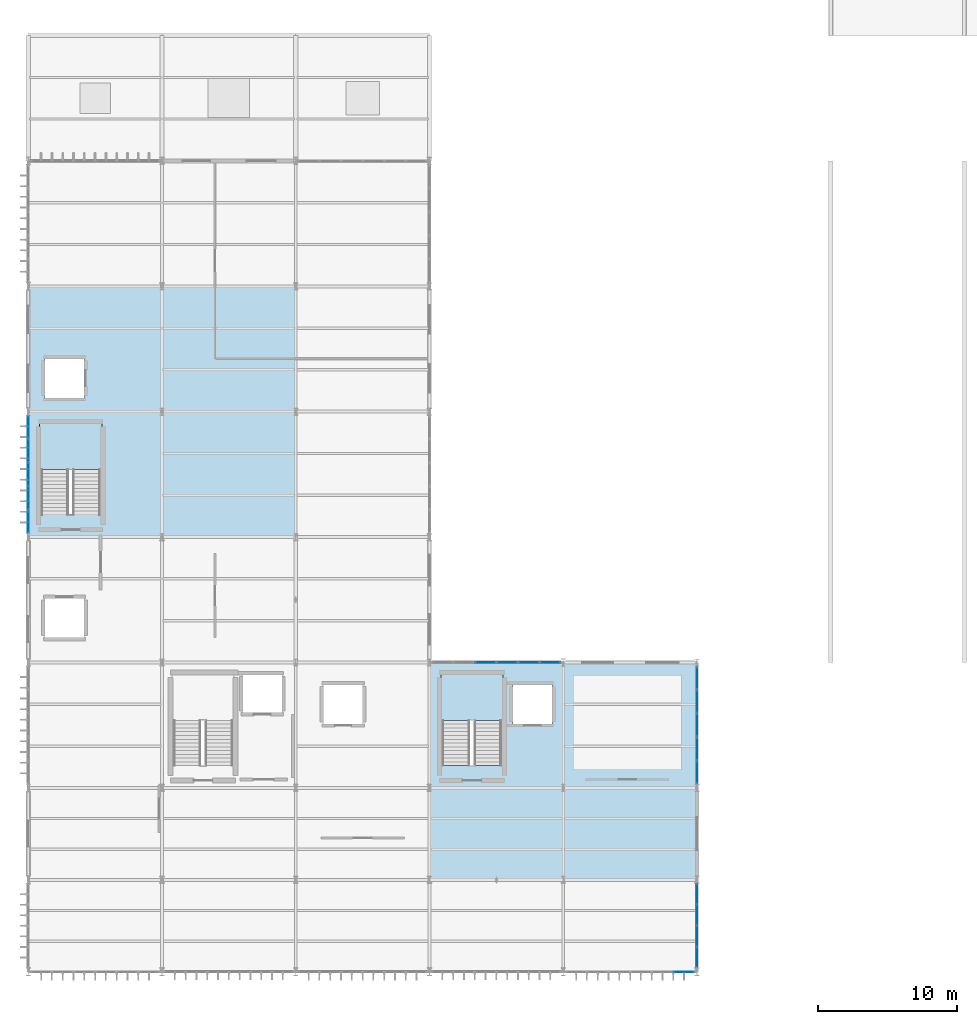
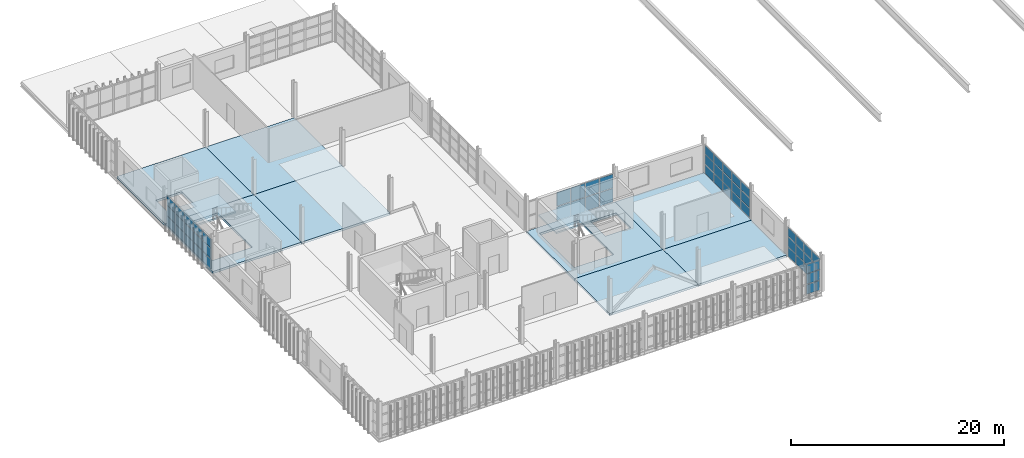
# One storey, part 19 of 52: 53 plates, 10 slabs, 7 elements without a shape of their own.
"""IFC4 building model written with IfcOpenShell, lengths in metres."""

from ifc_helpers import new_model, si_unit, direction, frame, origin, origin_2d, place, context, subcontext, project, spatial, polyline, rectangle, outline, extrude, material, layer, layer_set, type_object, element, aggregate, save


model = new_model("IFC4")

# Units and contexts
model_context = context("Model", 3, precision=1e-05, world=origin(), true_north=direction((0.0, 1.0)))
body_context = subcontext(model_context, "Body", "Model", "MODEL_VIEW")
ifc_project = project(units=[si_unit("LENGTHUNIT", "METRE"), si_unit("AREAUNIT", "SQUARE_METRE"), si_unit("VOLUMEUNIT", "CUBIC_METRE"), si_unit("PLANEANGLEUNIT", "RADIAN"), si_unit("MASSUNIT", "GRAM", prefix="KILO")], contexts=[model_context])

# Site, building, storey
site_placement = place(None, origin())
site = spatial("IfcSite", under=ifc_project, at=site_placement, CompositionType="ELEMENT")
building_placement = place(site_placement, origin())
building = spatial("IfcBuilding", under=site, at=building_placement, Name="Zarnetskaya Central Station", CompositionType="ELEMENT")
storey_placement = place(building_placement, frame((0.0, 0.0, 14.39990234375)))
storey = spatial("IfcBuildingStorey", under=building, at=storey_placement, Name="L03", CompositionType="ELEMENT", Elevation=14.39990234375)

# Curtain wall, plates
ifc_material_1 = material(Name="Low-E insulated glass", Category="glass")
ifc_layer_1 = layer(ifc_material_1, 0.176025390625, Name="Low-E insulated glass", Category="glass")
ifc_layer_set_1 = layer_set([ifc_layer_1], Name="Low-E insulated glass")
curtain_wall_type_1 = type_object("IfcCurtainWallType", Name="CW-SYS-05", PredefinedType="USERDEFINED", material=ifc_layer_set_1)
curtain_wall_1_placement = place(storey_placement, origin())
curtain_wall_1 = element("IfcCurtainWall", 1, at=curtain_wall_1_placement, inside=storey, type_object=curtain_wall_type_1, Name="Curtain wall CW-L03-040", ObjectType="CURTAIN WALL", PredefinedType="USERDEFINED")
ifc_layer_2 = layer(ifc_material_1, 0.028076171875, Name="Low-E insulated glass", Category="glass")
ifc_layer_set_2 = layer_set([ifc_layer_2], Name="Low-E insulated glass")
plate_type_1 = type_object("IfcPlateType", Name="CW-PAN-28", PredefinedType="CURTAIN_PANEL", material=ifc_layer_set_2)
plate_1_placement = place(storey_placement, frame((48.0, 21.080078125, 0.080078125), z_axis=(0.0, 0.0, 1.0), x_axis=(0.0, -1.0, 0.0)))
plate_1 = element("IfcPlate", 2, at=plate_1_placement, type_object=plate_type_1, Name="CW-14 panel 1.1", PredefinedType="CURTAIN_PANEL", context=body_context, shape_type="SweptSolid", body=[
    extrude(rectangle(XDim=1.580078125, YDim=0.028076171875, at=origin_2d()), origin(), (0.0, 0.0, 1.0), 1.0390625),
])
plate_2_placement = place(storey_placement, frame((48.0, 21.080078125, 1.198974609375), z_axis=(0.0, 0.0, 1.0), x_axis=(0.0, -1.0, 0.0)))
plate_2 = element("IfcPlate", 3, at=plate_2_placement, type_object=plate_type_1, Name="CW-14 panel 1.2", PredefinedType="CURTAIN_PANEL", context=body_context, shape_type="SweptSolid", body=[
    extrude(rectangle(XDim=1.580078125, YDim=0.028076171875, at=origin_2d()), origin(), (0.0, 0.0, 1.0), 1.080078125),
])
plate_3_placement = place(storey_placement, frame((48.0, 21.080078125, 2.35888671875), z_axis=(0.0, 0.0, 1.0), x_axis=(0.0, -1.0, 0.0)))
plate_3 = element("IfcPlate", 4, at=plate_3_placement, type_object=plate_type_1, Name="CW-14 panel 1.3", PredefinedType="CURTAIN_PANEL", context=body_context, shape_type="SweptSolid", body=[
    extrude(rectangle(XDim=1.580078125, YDim=0.028076171875, at=origin_2d()), origin(), (0.0, 0.0, 1.0), 0.970947265625),
])
plate_4_placement = place(storey_placement, frame((48.0, 19.39990234375, 0.080078125), z_axis=(0.0, 0.0, 1.0), x_axis=(0.0, -1.0, 0.0)))
plate_4 = element("IfcPlate", 5, at=plate_4_placement, type_object=plate_type_1, Name="CW-14 panel 2.1", PredefinedType="CURTAIN_PANEL", context=body_context, shape_type="SweptSolid", body=[
    extrude(rectangle(XDim=1.6201171875, YDim=0.028076171875, at=origin_2d()), origin(), (0.0, 0.0, 1.0), 1.0390625),
])
plate_5_placement = place(storey_placement, frame((48.0, 19.39990234375, 1.198974609375), z_axis=(0.0, 0.0, 1.0), x_axis=(0.0, -1.0, 0.0)))
plate_5 = element("IfcPlate", 6, at=plate_5_placement, type_object=plate_type_1, Name="CW-14 panel 2.2", PredefinedType="CURTAIN_PANEL", context=body_context, shape_type="SweptSolid", body=[
    extrude(rectangle(XDim=1.6201171875, YDim=0.028076171875, at=origin_2d()), origin(), (0.0, 0.0, 1.0), 1.080078125),
])
plate_6_placement = place(storey_placement, frame((48.0, 19.39990234375, 2.35888671875), z_axis=(0.0, 0.0, 1.0), x_axis=(0.0, -1.0, 0.0)))
plate_6 = element("IfcPlate", 7, at=plate_6_placement, type_object=plate_type_1, Name="CW-14 panel 2.3", PredefinedType="CURTAIN_PANEL", context=body_context, shape_type="SweptSolid", body=[
    extrude(rectangle(XDim=1.6201171875, YDim=0.028076171875, at=origin_2d()), origin(), (0.0, 0.0, 1.0), 0.970947265625),
])
plate_7_placement = place(storey_placement, frame((48.0, 17.699951171875, 0.080078125), z_axis=(0.0, 0.0, 1.0), x_axis=(0.0, -1.0, 0.0)))
plate_7 = element("IfcPlate", 8, at=plate_7_placement, type_object=plate_type_1, Name="CW-14 panel 3.1", PredefinedType="CURTAIN_PANEL", context=body_context, shape_type="SweptSolid", body=[
    extrude(rectangle(XDim=1.6201171875, YDim=0.028076171875, at=origin_2d()), origin(), (0.0, 0.0, 1.0), 1.0390625),
])
plate_8_placement = place(storey_placement, frame((48.0, 17.699951171875, 1.198974609375), z_axis=(0.0, 0.0, 1.0), x_axis=(0.0, -1.0, 0.0)))
plate_8 = element("IfcPlate", 9, at=plate_8_placement, type_object=plate_type_1, Name="CW-14 panel 3.2", PredefinedType="CURTAIN_PANEL", context=body_context, shape_type="SweptSolid", body=[
    extrude(rectangle(XDim=1.6201171875, YDim=0.028076171875, at=origin_2d()), origin(), (0.0, 0.0, 1.0), 1.080078125),
])
plate_9_placement = place(storey_placement, frame((48.0, 17.699951171875, 2.35888671875), z_axis=(0.0, 0.0, 1.0), x_axis=(0.0, -1.0, 0.0)))
plate_9 = element("IfcPlate", 10, at=plate_9_placement, type_object=plate_type_1, Name="CW-14 panel 3.3", PredefinedType="CURTAIN_PANEL", context=body_context, shape_type="SweptSolid", body=[
    extrude(rectangle(XDim=1.6201171875, YDim=0.028076171875, at=origin_2d()), origin(), (0.0, 0.0, 1.0), 0.970947265625),
])
plate_10_placement = place(storey_placement, frame((48.0, 16.0, 0.080078125), z_axis=(0.0, 0.0, 1.0), x_axis=(0.0, -1.0, 0.0)))
plate_10 = element("IfcPlate", 11, at=plate_10_placement, type_object=plate_type_1, Name="CW-14 panel 4.1", PredefinedType="CURTAIN_PANEL", context=body_context, shape_type="SweptSolid", body=[
    extrude(rectangle(XDim=1.6201171875, YDim=0.028076171875, at=origin_2d()), origin(), (0.0, 0.0, 1.0), 1.0390625),
])
plate_11_placement = place(storey_placement, frame((48.0, 16.0, 1.198974609375), z_axis=(0.0, 0.0, 1.0), x_axis=(0.0, -1.0, 0.0)))
plate_11 = element("IfcPlate", 12, at=plate_11_placement, type_object=plate_type_1, Name="CW-14 panel 4.2", PredefinedType="CURTAIN_PANEL", context=body_context, shape_type="SweptSolid", body=[
    extrude(rectangle(XDim=1.6201171875, YDim=0.028076171875, at=origin_2d()), origin(), (0.0, 0.0, 1.0), 1.080078125),
])
plate_12_placement = place(storey_placement, frame((48.0, 16.0, 2.35888671875), z_axis=(0.0, 0.0, 1.0), x_axis=(0.0, -1.0, 0.0)))
plate_12 = element("IfcPlate", 13, at=plate_12_placement, type_object=plate_type_1, Name="CW-14 panel 4.3", PredefinedType="CURTAIN_PANEL", context=body_context, shape_type="SweptSolid", body=[
    extrude(rectangle(XDim=1.6201171875, YDim=0.028076171875, at=origin_2d()), origin(), (0.0, 0.0, 1.0), 0.970947265625),
])
plate_13_placement = place(storey_placement, frame((48.0, 14.320068359375, 0.080078125), z_axis=(0.0, 0.0, 1.0), x_axis=(0.0, -1.0, 0.0)))
plate_13 = element("IfcPlate", 14, at=plate_13_placement, type_object=plate_type_1, Name="CW-14 panel 5.1", PredefinedType="CURTAIN_PANEL", context=body_context, shape_type="SweptSolid", body=[
    extrude(rectangle(XDim=1.580078125, YDim=0.028076171875, at=origin_2d()), origin(), (0.0, 0.0, 1.0), 1.0390625),
])
plate_14_placement = place(storey_placement, frame((48.0, 14.320068359375, 1.198974609375), z_axis=(0.0, 0.0, 1.0), x_axis=(0.0, -1.0, 0.0)))
plate_14 = element("IfcPlate", 15, at=plate_14_placement, type_object=plate_type_1, Name="CW-14 panel 5.2", PredefinedType="CURTAIN_PANEL", context=body_context, shape_type="SweptSolid", body=[
    extrude(rectangle(XDim=1.580078125, YDim=0.028076171875, at=origin_2d()), origin(), (0.0, 0.0, 1.0), 1.080078125),
])
plate_15_placement = place(storey_placement, frame((48.0, 14.320068359375, 2.35888671875), z_axis=(0.0, 0.0, 1.0), x_axis=(0.0, -1.0, 0.0)))
plate_15 = element("IfcPlate", 16, at=plate_15_placement, type_object=plate_type_1, Name="CW-14 panel 5.3", PredefinedType="CURTAIN_PANEL", context=body_context, shape_type="SweptSolid", body=[
    extrude(rectangle(XDim=1.580078125, YDim=0.028076171875, at=origin_2d()), origin(), (0.0, 0.0, 1.0), 0.970947265625),
])
aggregate(curtain_wall_1, [plate_1, plate_2, plate_3, plate_4, plate_5, plate_6, plate_7, plate_8, plate_9, plate_10, plate_11, plate_12, plate_13, plate_14, plate_15])

ifc_layer_3 = layer(ifc_material_1, 0.1640625, Name="Low-E insulated glass", Category="glass")
ifc_layer_set_3 = layer_set([ifc_layer_3], Name="Low-E insulated glass")
curtain_wall_type_2 = type_object("IfcCurtainWallType", Name="CW-SYS-07", PredefinedType="USERDEFINED", material=ifc_layer_set_3)
curtain_wall_2_placement = place(storey_placement, origin())
curtain_wall_2 = element("IfcCurtainWall", 17, at=curtain_wall_2_placement, inside=storey, type_object=curtain_wall_type_2, Name="Curtain wall CW-L03-041", ObjectType="CURTAIN WALL", PredefinedType="USERDEFINED")
ifc_layer_4 = layer(ifc_material_1, 0.031982421875, Name="Low-E insulated glass", Category="glass")
ifc_layer_set_4 = layer_set([ifc_layer_4], Name="Low-E insulated glass")
plate_type_2 = type_object("IfcPlateType", Name="CW-PAN-32", PredefinedType="CURTAIN_PANEL", material=ifc_layer_set_4)
plate_16_placement = place(storey_placement, frame((48.0, 5.5732421875, 0.0703125), z_axis=(0.0, 0.0, 1.0), x_axis=(0.0, -1.0, 0.0)))
plate_16 = element("IfcPlate", 18, at=plate_16_placement, type_object=plate_type_2, Name="CW-06 panel 1.1", PredefinedType="CURTAIN_PANEL", context=body_context, shape_type="SweptSolid", body=[
    extrude(rectangle(XDim=1.413818359375, YDim=0.031982421875, at=origin_2d()), origin(), (0.0, 0.0, 1.0), 1.071044921875),
])
plate_17_placement = place(storey_placement, frame((48.0, 5.5732421875, 1.211181640625), z_axis=(0.0, 0.0, 1.0), x_axis=(0.0, -1.0, 0.0)))
plate_17 = element("IfcPlate", 19, at=plate_17_placement, type_object=plate_type_2, Name="CW-06 panel 1.2", PredefinedType="CURTAIN_PANEL", context=body_context, shape_type="SweptSolid", body=[
    extrude(rectangle(XDim=1.413818359375, YDim=0.031982421875, at=origin_2d()), origin(), (0.0, 0.0, 1.0), 1.10693359375),
])
plate_18_placement = place(storey_placement, frame((48.0, 5.5732421875, 2.38818359375), z_axis=(0.0, 0.0, 1.0), x_axis=(0.0, -1.0, 0.0)))
plate_18 = element("IfcPlate", 20, at=plate_18_placement, type_object=plate_type_2, Name="CW-06 panel 1.3", PredefinedType="CURTAIN_PANEL", context=body_context, shape_type="SweptSolid", body=[
    extrude(rectangle(XDim=1.413818359375, YDim=0.031982421875, at=origin_2d()), origin(), (0.0, 0.0, 1.0), 1.001953125),
])
plate_19_placement = place(storey_placement, frame((48.0, 4.07177734375, 0.0703125), z_axis=(0.0, 0.0, 1.0), x_axis=(0.0, -1.0, 0.0)))
plate_19 = element("IfcPlate", 21, at=plate_19_placement, type_object=plate_type_2, Name="CW-06 panel 2.1", PredefinedType="CURTAIN_PANEL", context=body_context, shape_type="SweptSolid", body=[
    extrude(rectangle(XDim=1.44873046875, YDim=0.031982421875, at=origin_2d()), origin(), (0.0, 0.0, 1.0), 1.071044921875),
])
plate_20_placement = place(storey_placement, frame((48.0, 4.07177734375, 1.211181640625), z_axis=(0.0, 0.0, 1.0), x_axis=(0.0, -1.0, 0.0)))
plate_20 = element("IfcPlate", 22, at=plate_20_placement, type_object=plate_type_2, Name="CW-06 panel 2.2", PredefinedType="CURTAIN_PANEL", context=body_context, shape_type="SweptSolid", body=[
    extrude(rectangle(XDim=1.44873046875, YDim=0.031982421875, at=origin_2d()), origin(), (0.0, 0.0, 1.0), 1.10693359375),
])
plate_21_placement = place(storey_placement, frame((48.0, 4.07177734375, 2.38818359375), z_axis=(0.0, 0.0, 1.0), x_axis=(0.0, -1.0, 0.0)))
plate_21 = element("IfcPlate", 23, at=plate_21_placement, type_object=plate_type_2, Name="CW-06 panel 2.3", PredefinedType="CURTAIN_PANEL", context=body_context, shape_type="SweptSolid", body=[
    extrude(rectangle(XDim=1.44873046875, YDim=0.031982421875, at=origin_2d()), origin(), (0.0, 0.0, 1.0), 1.001953125),
])
plate_22_placement = place(storey_placement, frame((48.0, 2.55322265625, 0.0703125), z_axis=(0.0, 0.0, 1.0), x_axis=(0.0, -1.0, 0.0)))
plate_22 = element("IfcPlate", 24, at=plate_22_placement, type_object=plate_type_2, Name="CW-06 panel 3.1", PredefinedType="CURTAIN_PANEL", context=body_context, shape_type="SweptSolid", body=[
    extrude(rectangle(XDim=1.44873046875, YDim=0.031982421875, at=origin_2d()), origin(), (0.0, 0.0, 1.0), 1.071044921875),
])
plate_23_placement = place(storey_placement, frame((48.0, 2.55322265625, 1.211181640625), z_axis=(0.0, 0.0, 1.0), x_axis=(0.0, -1.0, 0.0)))
plate_23 = element("IfcPlate", 25, at=plate_23_placement, type_object=plate_type_2, Name="CW-06 panel 3.2", PredefinedType="CURTAIN_PANEL", context=body_context, shape_type="SweptSolid", body=[
    extrude(rectangle(XDim=1.44873046875, YDim=0.031982421875, at=origin_2d()), origin(), (0.0, 0.0, 1.0), 1.10693359375),
])
plate_24_placement = place(storey_placement, frame((48.0, 2.55322265625, 2.38818359375), z_axis=(0.0, 0.0, 1.0), x_axis=(0.0, -1.0, 0.0)))
plate_24 = element("IfcPlate", 26, at=plate_24_placement, type_object=plate_type_2, Name="CW-06 panel 3.3", PredefinedType="CURTAIN_PANEL", context=body_context, shape_type="SweptSolid", body=[
    extrude(rectangle(XDim=1.44873046875, YDim=0.031982421875, at=origin_2d()), origin(), (0.0, 0.0, 1.0), 1.001953125),
])
plate_25_placement = place(storey_placement, frame((48.0, 1.0517578125, 0.0703125), z_axis=(0.0, 0.0, 1.0), x_axis=(0.0, -1.0, 0.0)))
plate_25 = element("IfcPlate", 27, at=plate_25_placement, type_object=plate_type_2, Name="CW-06 panel 4.1", PredefinedType="CURTAIN_PANEL", context=body_context, shape_type="SweptSolid", body=[
    extrude(rectangle(XDim=1.413818359375, YDim=0.031982421875, at=origin_2d()), origin(), (0.0, 0.0, 1.0), 1.071044921875),
])
plate_26_placement = place(storey_placement, frame((48.0, 1.0517578125, 1.211181640625), z_axis=(0.0, 0.0, 1.0), x_axis=(0.0, -1.0, 0.0)))
plate_26 = element("IfcPlate", 28, at=plate_26_placement, type_object=plate_type_2, Name="CW-06 panel 4.2", PredefinedType="CURTAIN_PANEL", context=body_context, shape_type="SweptSolid", body=[
    extrude(rectangle(XDim=1.413818359375, YDim=0.031982421875, at=origin_2d()), origin(), (0.0, 0.0, 1.0), 1.10693359375),
])
plate_27_placement = place(storey_placement, frame((48.0, 1.0517578125, 2.38818359375), z_axis=(0.0, 0.0, 1.0), x_axis=(0.0, -1.0, 0.0)))
plate_27 = element("IfcPlate", 29, at=plate_27_placement, type_object=plate_type_2, Name="CW-06 panel 4.3", PredefinedType="CURTAIN_PANEL", context=body_context, shape_type="SweptSolid", body=[
    extrude(rectangle(XDim=1.413818359375, YDim=0.031982421875, at=origin_2d()), origin(), (0.0, 0.0, 1.0), 1.001953125),
])
aggregate(curtain_wall_2, [plate_16, plate_17, plate_18, plate_19, plate_20, plate_21, plate_22, plate_23, plate_24, plate_25, plate_26, plate_27])

curtain_wall_3_placement = place(storey_placement, origin())
curtain_wall_3 = element("IfcCurtainWall", 30, at=curtain_wall_3_placement, inside=storey, type_object=curtain_wall_type_1, Name="Curtain wall CW-L03-042", ObjectType="CURTAIN WALL", PredefinedType="USERDEFINED")
ifc_layer_5 = layer(ifc_material_1, 0.035888671875, Name="Low-E insulated glass", Category="glass")
ifc_layer_set_5 = layer_set([ifc_layer_5], Name="Low-E insulated glass")
plate_type_3 = type_object("IfcPlateType", Name="CW-PAN-36", PredefinedType="CURTAIN_PANEL", material=ifc_layer_set_5)
plate_28_placement = place(storey_placement, frame((47.054931640625, 0.0, 0.080078125), z_axis=(0.0, 0.0, 1.0), x_axis=(-1.0, 0.0, 0.0)))
plate_28 = element("IfcPlate", 31, at=plate_28_placement, type_object=plate_type_3, Name="CW-14 panel 1.1", PredefinedType="CURTAIN_PANEL", context=body_context, shape_type="SweptSolid", body=[
    extrude(rectangle(XDim=1.429931640625, YDim=0.035888671875, at=origin_2d()), origin(), (0.0, 0.0, 1.0), 1.090087890625),
])
plate_29_placement = place(storey_placement, frame((47.054931640625, 0.0, 1.25), z_axis=(0.0, 0.0, 1.0), x_axis=(-1.0, 0.0, 0.0)))
plate_29 = element("IfcPlate", 32, at=plate_29_placement, type_object=plate_type_3, Name="CW-14 panel 1.2", PredefinedType="CURTAIN_PANEL", context=body_context, shape_type="SweptSolid", body=[
    extrude(rectangle(XDim=1.429931640625, YDim=0.035888671875, at=origin_2d()), origin(), (0.0, 0.0, 1.0), 1.131103515625),
])
plate_30_placement = place(storey_placement, frame((47.054931640625, 0.0, 2.461181640625), z_axis=(0.0, 0.0, 1.0), x_axis=(-1.0, 0.0, 0.0)))
plate_30 = element("IfcPlate", 33, at=plate_30_placement, type_object=plate_type_3, Name="CW-14 panel 1.3", PredefinedType="CURTAIN_PANEL", context=body_context, shape_type="SweptSolid", body=[
    extrude(rectangle(XDim=1.429931640625, YDim=0.035888671875, at=origin_2d()), origin(), (0.0, 0.0, 1.0), 1.01904296875),
])
aggregate(curtain_wall_3, [plate_28, plate_29, plate_30])

ifc_layer_6 = layer(ifc_material_1, 0.172119140625, Name="Low-E insulated glass", Category="glass")
ifc_layer_set_6 = layer_set([ifc_layer_6], Name="Low-E insulated glass")
curtain_wall_type_3 = type_object("IfcCurtainWallType", Name="CW-SYS-09", PredefinedType="USERDEFINED", material=ifc_layer_set_6)
curtain_wall_4_placement = place(storey_placement, origin())
curtain_wall_4 = element("IfcCurtainWall", 34, at=curtain_wall_4_placement, inside=storey, type_object=curtain_wall_type_3, Name="Curtain wall CW-L03-033", ObjectType="CURTAIN WALL", PredefinedType="USERDEFINED")
ifc_layer_7 = layer(ifc_material_1, 0.0400390625, Name="Low-E insulated glass", Category="glass")
ifc_layer_set_7 = layer_set([ifc_layer_7], Name="Low-E insulated glass")
plate_type_4 = type_object("IfcPlateType", Name="CW-PAN-40", PredefinedType="CURTAIN_PANEL", material=ifc_layer_set_7)
plate_31_placement = place(storey_placement, frame((0.0, 32.33740234375, 0.070068359375), z_axis=(0.0, 0.0, 1.0), x_axis=(0.0, 1.0, 0.0)))
plate_31 = element("IfcPlate", 35, at=plate_31_placement, type_object=plate_type_4, Name="CW-07 panel 1.1", PredefinedType="CURTAIN_PANEL", context=body_context, shape_type="SweptSolid", body=[
    extrude(rectangle(XDim=1.5849609375, YDim=0.0400390625, at=origin_2d()), origin(), (0.0, 0.0, 1.0), 1.10498046875),
])
plate_32_placement = place(storey_placement, frame((0.0, 32.33740234375, 1.2451171875), z_axis=(0.0, 0.0, 1.0), x_axis=(0.0, 1.0, 0.0)))
plate_32 = element("IfcPlate", 36, at=plate_32_placement, type_object=plate_type_4, Name="CW-07 panel 1.2", PredefinedType="CURTAIN_PANEL", context=body_context, shape_type="SweptSolid", body=[
    extrude(rectangle(XDim=1.5849609375, YDim=0.0400390625, at=origin_2d()), origin(), (0.0, 0.0, 1.0), 1.14111328125),
])
plate_33_placement = place(storey_placement, frame((0.0, 32.33740234375, 2.4560546875), z_axis=(0.0, 0.0, 1.0), x_axis=(0.0, 1.0, 0.0)))
plate_33 = element("IfcPlate", 37, at=plate_33_placement, type_object=plate_type_4, Name="CW-07 panel 1.3", PredefinedType="CURTAIN_PANEL", context=body_context, shape_type="SweptSolid", body=[
    extrude(rectangle(XDim=1.5849609375, YDim=0.0400390625, at=origin_2d()), origin(), (0.0, 0.0, 1.0), 1.033935546875),
])
plate_34_placement = place(storey_placement, frame((0.0, 34.010009765625, 0.070068359375), z_axis=(0.0, 0.0, 1.0), x_axis=(0.0, 1.0, 0.0)))
plate_34 = element("IfcPlate", 38, at=plate_34_placement, type_object=plate_type_4, Name="CW-07 panel 2.1", PredefinedType="CURTAIN_PANEL", context=body_context, shape_type="SweptSolid", body=[
    extrude(rectangle(XDim=1.6201171875, YDim=0.0400390625, at=origin_2d()), origin(), (0.0, 0.0, 1.0), 1.10498046875),
])
plate_35_placement = place(storey_placement, frame((0.0, 34.010009765625, 1.2451171875), z_axis=(0.0, 0.0, 1.0), x_axis=(0.0, 1.0, 0.0)))
plate_35 = element("IfcPlate", 39, at=plate_35_placement, type_object=plate_type_4, Name="CW-07 panel 2.2", PredefinedType="CURTAIN_PANEL", context=body_context, shape_type="SweptSolid", body=[
    extrude(rectangle(XDim=1.6201171875, YDim=0.0400390625, at=origin_2d()), origin(), (0.0, 0.0, 1.0), 1.14111328125),
])
plate_36_placement = place(storey_placement, frame((0.0, 34.010009765625, 2.4560546875), z_axis=(0.0, 0.0, 1.0), x_axis=(0.0, 1.0, 0.0)))
plate_36 = element("IfcPlate", 40, at=plate_36_placement, type_object=plate_type_4, Name="CW-07 panel 2.3", PredefinedType="CURTAIN_PANEL", context=body_context, shape_type="SweptSolid", body=[
    extrude(rectangle(XDim=1.6201171875, YDim=0.0400390625, at=origin_2d()), origin(), (0.0, 0.0, 1.0), 1.033935546875),
])
plate_37_placement = place(storey_placement, frame((0.0, 35.699951171875, 0.070068359375), z_axis=(0.0, 0.0, 1.0), x_axis=(0.0, 1.0, 0.0)))
plate_37 = element("IfcPlate", 41, at=plate_37_placement, type_object=plate_type_4, Name="CW-07 panel 3.1", PredefinedType="CURTAIN_PANEL", context=body_context, shape_type="SweptSolid", body=[
    extrude(rectangle(XDim=1.6201171875, YDim=0.0400390625, at=origin_2d()), origin(), (0.0, 0.0, 1.0), 1.10498046875),
])
plate_38_placement = place(storey_placement, frame((0.0, 35.699951171875, 1.2451171875), z_axis=(0.0, 0.0, 1.0), x_axis=(0.0, 1.0, 0.0)))
plate_38 = element("IfcPlate", 42, at=plate_38_placement, type_object=plate_type_4, Name="CW-07 panel 3.2", PredefinedType="CURTAIN_PANEL", context=body_context, shape_type="SweptSolid", body=[
    extrude(rectangle(XDim=1.6201171875, YDim=0.0400390625, at=origin_2d()), origin(), (0.0, 0.0, 1.0), 1.14111328125),
])
plate_39_placement = place(storey_placement, frame((0.0, 35.699951171875, 2.4560546875), z_axis=(0.0, 0.0, 1.0), x_axis=(0.0, 1.0, 0.0)))
plate_39 = element("IfcPlate", 43, at=plate_39_placement, type_object=plate_type_4, Name="CW-07 panel 3.3", PredefinedType="CURTAIN_PANEL", context=body_context, shape_type="SweptSolid", body=[
    extrude(rectangle(XDim=1.6201171875, YDim=0.0400390625, at=origin_2d()), origin(), (0.0, 0.0, 1.0), 1.033935546875),
])
plate_40_placement = place(storey_placement, frame((0.0, 37.389892578125, 0.070068359375), z_axis=(0.0, 0.0, 1.0), x_axis=(0.0, 1.0, 0.0)))
plate_40 = element("IfcPlate", 44, at=plate_40_placement, type_object=plate_type_4, Name="CW-07 panel 4.1", PredefinedType="CURTAIN_PANEL", context=body_context, shape_type="SweptSolid", body=[
    extrude(rectangle(XDim=1.6201171875, YDim=0.0400390625, at=origin_2d()), origin(), (0.0, 0.0, 1.0), 1.10498046875),
])
plate_41_placement = place(storey_placement, frame((0.0, 37.389892578125, 1.2451171875), z_axis=(0.0, 0.0, 1.0), x_axis=(0.0, 1.0, 0.0)))
plate_41 = element("IfcPlate", 45, at=plate_41_placement, type_object=plate_type_4, Name="CW-07 panel 4.2", PredefinedType="CURTAIN_PANEL", context=body_context, shape_type="SweptSolid", body=[
    extrude(rectangle(XDim=1.6201171875, YDim=0.0400390625, at=origin_2d()), origin(), (0.0, 0.0, 1.0), 1.14111328125),
])
plate_42_placement = place(storey_placement, frame((0.0, 37.389892578125, 2.4560546875), z_axis=(0.0, 0.0, 1.0), x_axis=(0.0, 1.0, 0.0)))
plate_42 = element("IfcPlate", 46, at=plate_42_placement, type_object=plate_type_4, Name="CW-07 panel 4.3", PredefinedType="CURTAIN_PANEL", context=body_context, shape_type="SweptSolid", body=[
    extrude(rectangle(XDim=1.6201171875, YDim=0.0400390625, at=origin_2d()), origin(), (0.0, 0.0, 1.0), 1.033935546875),
])
plate_43_placement = place(storey_placement, frame((0.0, 39.0625, 0.070068359375), z_axis=(0.0, 0.0, 1.0), x_axis=(0.0, 1.0, 0.0)))
plate_43 = element("IfcPlate", 47, at=plate_43_placement, type_object=plate_type_4, Name="CW-07 panel 5.1", PredefinedType="CURTAIN_PANEL", context=body_context, shape_type="SweptSolid", body=[
    extrude(rectangle(XDim=1.5849609375, YDim=0.0400390625, at=origin_2d()), origin(), (0.0, 0.0, 1.0), 1.10498046875),
])
plate_44_placement = place(storey_placement, frame((0.0, 39.0625, 1.2451171875), z_axis=(0.0, 0.0, 1.0), x_axis=(0.0, 1.0, 0.0)))
plate_44 = element("IfcPlate", 48, at=plate_44_placement, type_object=plate_type_4, Name="CW-07 panel 5.2", PredefinedType="CURTAIN_PANEL", context=body_context, shape_type="SweptSolid", body=[
    extrude(rectangle(XDim=1.5849609375, YDim=0.0400390625, at=origin_2d()), origin(), (0.0, 0.0, 1.0), 1.14111328125),
])
plate_45_placement = place(storey_placement, frame((0.0, 39.0625, 2.4560546875), z_axis=(0.0, 0.0, 1.0), x_axis=(0.0, 1.0, 0.0)))
plate_45 = element("IfcPlate", 49, at=plate_45_placement, type_object=plate_type_4, Name="CW-07 panel 5.3", PredefinedType="CURTAIN_PANEL", context=body_context, shape_type="SweptSolid", body=[
    extrude(rectangle(XDim=1.5849609375, YDim=0.0400390625, at=origin_2d()), origin(), (0.0, 0.0, 1.0), 1.033935546875),
])
aggregate(curtain_wall_4, [plate_31, plate_32, plate_33, plate_34, plate_35, plate_36, plate_37, plate_38, plate_39, plate_40, plate_41, plate_42, plate_43, plate_44, plate_45])

curtain_wall_5_placement = place(storey_placement, origin())
curtain_wall_5 = element("IfcCurtainWall", 50, at=curtain_wall_5_placement, inside=storey, type_object=curtain_wall_type_1, Name="Curtain wall CW-L03-039", ObjectType="CURTAIN WALL", PredefinedType="USERDEFINED")
ifc_layer_8 = layer(ifc_material_1, 0.0439453125, Name="Low-E insulated glass", Category="glass")
ifc_layer_set_8 = layer_set([ifc_layer_8], Name="Low-E insulated glass")
plate_type_5 = type_object("IfcPlateType", Name="CW-PAN-44", PredefinedType="CURTAIN_PANEL", material=ifc_layer_set_8)
plate_46_placement = place(storey_placement, frame((32.824951171875, 22.199951171875, 0.0703125), z_axis=(0.0, 0.0, 1.0), x_axis=(1.0, 0.0, 0.0)))
plate_46 = element("IfcPlate", 51, at=plate_46_placement, type_object=plate_type_5, Name="CW-14 panel 3.1", PredefinedType="CURTAIN_PANEL", context=body_context, shape_type="SweptSolid", body=[
    extrude(rectangle(XDim=1.47998046875, YDim=0.0439453125, at=origin_2d()), origin(), (0.0, 0.0, 1.0), 1.574951171875),
])
plate_47_placement = place(storey_placement, frame((32.824951171875, 22.199951171875, 1.71533203125), z_axis=(0.0, 0.0, 1.0), x_axis=(1.0, 0.0, 0.0)))
plate_47 = element("IfcPlate", 52, at=plate_47_placement, type_object=plate_type_5, Name="CW-14 panel 3.2", PredefinedType="CURTAIN_PANEL", context=body_context, shape_type="SweptSolid", body=[
    extrude(rectangle(XDim=1.47998046875, YDim=0.0439453125, at=origin_2d()), origin(), (0.0, 0.0, 1.0), 1.574951171875),
])
plate_48_placement = place(storey_placement, frame((34.375, 22.199951171875, 0.0703125), z_axis=(0.0, 0.0, 1.0), x_axis=(1.0, 0.0, 0.0)))
plate_48 = element("IfcPlate", 53, at=plate_48_placement, type_object=plate_type_5, Name="CW-14 panel 4.1", PredefinedType="CURTAIN_PANEL", context=body_context, shape_type="SweptSolid", body=[
    extrude(rectangle(XDim=1.47998046875, YDim=0.0439453125, at=origin_2d()), origin(), (0.0, 0.0, 1.0), 1.574951171875),
])
plate_49_placement = place(storey_placement, frame((34.375, 22.199951171875, 1.71533203125), z_axis=(0.0, 0.0, 1.0), x_axis=(1.0, 0.0, 0.0)))
plate_49 = element("IfcPlate", 54, at=plate_49_placement, type_object=plate_type_5, Name="CW-14 panel 4.2", PredefinedType="CURTAIN_PANEL", context=body_context, shape_type="SweptSolid", body=[
    extrude(rectangle(XDim=1.47998046875, YDim=0.0439453125, at=origin_2d()), origin(), (0.0, 0.0, 1.0), 1.574951171875),
])
plate_50_placement = place(storey_placement, frame((35.925048828125, 22.199951171875, 0.0703125), z_axis=(0.0, 0.0, 1.0), x_axis=(1.0, 0.0, 0.0)))
plate_50 = element("IfcPlate", 55, at=plate_50_placement, type_object=plate_type_5, Name="CW-14 panel 5.1", PredefinedType="CURTAIN_PANEL", context=body_context, shape_type="SweptSolid", body=[
    extrude(rectangle(XDim=1.47998046875, YDim=0.0439453125, at=origin_2d()), origin(), (0.0, 0.0, 1.0), 1.574951171875),
])
plate_51_placement = place(storey_placement, frame((35.925048828125, 22.199951171875, 1.71533203125), z_axis=(0.0, 0.0, 1.0), x_axis=(1.0, 0.0, 0.0)))
plate_51 = element("IfcPlate", 56, at=plate_51_placement, type_object=plate_type_5, Name="CW-14 panel 5.2", PredefinedType="CURTAIN_PANEL", context=body_context, shape_type="SweptSolid", body=[
    extrude(rectangle(XDim=1.47998046875, YDim=0.0439453125, at=origin_2d()), origin(), (0.0, 0.0, 1.0), 1.574951171875),
])
plate_52_placement = place(storey_placement, frame((37.45751953125, 22.199951171875, 0.0703125), z_axis=(0.0, 0.0, 1.0), x_axis=(1.0, 0.0, 0.0)))
plate_52 = element("IfcPlate", 57, at=plate_52_placement, type_object=plate_type_5, Name="CW-14 panel 6.1", PredefinedType="CURTAIN_PANEL", context=body_context, shape_type="SweptSolid", body=[
    extrude(rectangle(XDim=1.445068359375, YDim=0.0439453125, at=origin_2d()), origin(), (0.0, 0.0, 1.0), 1.574951171875),
])
plate_53_placement = place(storey_placement, frame((37.45751953125, 22.199951171875, 1.71533203125), z_axis=(0.0, 0.0, 1.0), x_axis=(1.0, 0.0, 0.0)))
plate_53 = element("IfcPlate", 58, at=plate_53_placement, type_object=plate_type_5, Name="CW-14 panel 6.2", PredefinedType="CURTAIN_PANEL", context=body_context, shape_type="SweptSolid", body=[
    extrude(rectangle(XDim=1.445068359375, YDim=0.0439453125, at=origin_2d()), origin(), (0.0, 0.0, 1.0), 1.574951171875),
])
aggregate(curtain_wall_5, [plate_46, plate_47, plate_48, plate_49, plate_50, plate_51, plate_52, plate_53])

# Slabs
ifc_material_2 = material(Name="Concrete C30/37", Category="concrete")
ifc_layer_9 = layer(ifc_material_2, 0.25, Name="Concrete C30/37", Category="concrete")
ifc_layer_set_9 = layer_set([ifc_layer_9], Name="Concrete C30/37")
slab_type_1 = type_object("IfcSlabType", Name="SLAB-L03-250", PredefinedType="FLOOR", material=ifc_layer_set_9)
slab_1_placement = place(storey_placement, frame((0.0, 0.0, -0.25)))
element("IfcSlab", 59, at=slab_1_placement, inside=storey, type_object=slab_type_1, Name="L03 slab A-B/5-6", PredefinedType="FLOOR", context=body_context, shape_type="SweptSolid", body=[
    extrude(outline(polyline([(0.0, 31.199951171875), (9.60009765625, 31.199951171875), (9.60009765625, 40.199951171875), (0.0, 40.199951171875), (0.0, 31.199951171875)]), holes=[polyline([(0.89990234375, 32.804931640625), (5.199951171875, 32.804931640625), (5.199951171875, 39.300048828125), (0.89990234375, 39.300048828125), (0.89990234375, 32.804931640625)])]), origin(), (0.0, 0.0, 1.0), 0.25),
])
slab_2_placement = place(storey_placement, frame((0.0, 0.0, -0.25)))
element("IfcSlab", 60, at=slab_2_placement, inside=storey, type_object=slab_type_1, Name="L03 slab A-B/6-7", PredefinedType="FLOOR", context=body_context, shape_type="SweptSolid", body=[
    extrude(outline(polyline([(0.0, 40.199951171875), (9.60009765625, 40.199951171875), (9.60009765625, 49.199951171875), (0.0, 49.199951171875), (0.0, 40.199951171875)]), holes=[polyline([(1.199951171875, 41.199951171875), (4.0, 41.199951171875), (4.0, 44.0), (1.199951171875, 44.0), (1.199951171875, 41.199951171875)])]), origin(), (0.0, 0.0, 1.0), 0.25),
])
slab_3_placement = place(storey_placement, frame((0.0, 0.0, -0.25)))
element("IfcSlab", 61, at=slab_3_placement, inside=storey, type_object=slab_type_1, Name="L03 slab B-C/5-6", PredefinedType="FLOOR", context=body_context, shape_type="SweptSolid", body=[
    extrude(outline(polyline([(9.60009765625, 31.199951171875), (19.199951171875, 31.199951171875), (19.199951171875, 40.199951171875), (9.60009765625, 40.199951171875), (9.60009765625, 31.199951171875)])), origin(), (0.0, 0.0, 1.0), 0.25),
])
slab_4_placement = place(storey_placement, frame((0.0, 0.0, -0.25)))
element("IfcSlab", 62, at=slab_4_placement, inside=storey, type_object=slab_type_1, Name="L03 slab B-C/6-7", PredefinedType="FLOOR", context=body_context, shape_type="SweptSolid", body=[
    extrude(outline(polyline([(9.60009765625, 40.199951171875), (19.199951171875, 40.199951171875), (19.199951171875, 49.199951171875), (9.60009765625, 49.199951171875), (9.60009765625, 40.199951171875)])), origin(), (0.0, 0.0, 1.0), 0.25),
])
slab_5_placement = place(storey_placement, frame((0.0, 0.0, -0.25)))
element("IfcSlab", 63, at=slab_5_placement, inside=storey, type_object=slab_type_1, Name="L03 slab D-E/2-3", PredefinedType="FLOOR", context=body_context, shape_type="SweptSolid", body=[
    extrude(outline(polyline([(28.800048828125, 6.60009765625), (38.39990234375, 6.60009765625), (38.39990234375, 13.199951171875), (28.800048828125, 13.199951171875), (28.800048828125, 6.60009765625)])), origin(), (0.0, 0.0, 1.0), 0.25),
])
slab_6_placement = place(storey_placement, frame((0.0, 0.0, -0.25)))
element("IfcSlab", 64, at=slab_6_placement, inside=storey, type_object=slab_type_1, Name="L03 slab D-E/3-4", PredefinedType="FLOOR", context=body_context, shape_type="SweptSolid", body=[
    extrude(outline(polyline([(28.800048828125, 13.199951171875), (38.39990234375, 13.199951171875), (38.39990234375, 22.199951171875), (28.800048828125, 22.199951171875), (28.800048828125, 13.199951171875)]), holes=[polyline([(29.699951171875, 14.804931640625), (34.0, 14.804931640625), (34.0, 21.300048828125), (29.699951171875, 21.300048828125), (29.699951171875, 14.804931640625)]), polyline([(34.800048828125, 17.800048828125), (37.60009765625, 17.800048828125), (37.60009765625, 20.60009765625), (34.800048828125, 20.60009765625), (34.800048828125, 17.800048828125)])]), origin(), (0.0, 0.0, 1.0), 0.25),
])
slab_7_placement = place(storey_placement, frame((0.0, 0.0, -0.25)))
element("IfcSlab", 65, at=slab_7_placement, inside=storey, type_object=slab_type_1, Name="L03 slab E-F/2-3", PredefinedType="FLOOR", context=body_context, shape_type="SweptSolid", body=[
    extrude(outline(polyline([(38.39990234375, 6.60009765625), (48.0, 6.60009765625), (48.0, 13.199951171875), (38.39990234375, 13.199951171875), (38.39990234375, 6.60009765625)])), origin(), (0.0, 0.0, 1.0), 0.25),
])
slab_8_placement = place(storey_placement, frame((0.0, 0.0, -0.25)))
element("IfcSlab", 66, at=slab_8_placement, inside=storey, type_object=slab_type_1, Name="L03 slab E-F/3-4", PredefinedType="FLOOR", context=body_context, shape_type="SweptSolid", body=[
    extrude(outline(polyline([(38.39990234375, 13.199951171875), (48.0, 13.199951171875), (48.0, 22.199951171875), (38.39990234375, 22.199951171875), (38.39990234375, 13.199951171875)])), origin(), (0.0, 0.0, 1.0), 0.25),
])

# Stair, slab
stair_type_1 = type_object("IfcStairType", Name="STAIR-ASSY-02", PredefinedType="HALF_TURN_STAIR", material=ifc_material_2)
stair_1_placement = place(storey_placement, origin())
stair_1 = element("IfcStair", 67, at=stair_1_placement, inside=storey, type_object=stair_type_1, Name="Exit Stair ST-C2 L03", PredefinedType="HALF_TURN_STAIR")
ifc_layer_10 = layer(ifc_material_2, 0.18505859375, Name="Concrete C30/37", Category="concrete")
ifc_layer_set_10 = layer_set([ifc_layer_10], Name="Concrete C30/37")
slab_type_2 = type_object("IfcSlabType", Name="SLAB-STAIR-LND", PredefinedType="LANDING", material=ifc_layer_set_10)
slab_9_placement = place(storey_placement, frame((0.0, 0.0, 1.9150390625)))
slab_9 = element("IfcSlab", 68, at=slab_9_placement, type_object=slab_type_2, Name="ST-07 landing 1", PredefinedType="LANDING", context=body_context, shape_type="SweptSolid", body=[
    extrude(outline(polyline([(0.820068359375, 36.034912109375), (5.280029296875, 36.034912109375), (5.280029296875, 39.3798828125), (0.820068359375, 39.3798828125), (0.820068359375, 36.034912109375)])), origin(), (0.0, 0.0, 1.0), 0.18505859375),
])
aggregate(stair_1, [slab_9])

stair_type_2 = type_object("IfcStairType", Name="STAIR-ASSY-03", PredefinedType="HALF_TURN_STAIR", material=ifc_material_2)
stair_2_placement = place(storey_placement, origin())
stair_2 = element("IfcStair", 69, at=stair_2_placement, inside=storey, type_object=stair_type_2, Name="Exit Stair ST-C3 L03", PredefinedType="HALF_TURN_STAIR")
slab_10_placement = place(storey_placement, frame((0.0, 0.0, 1.9150390625)))
slab_10 = element("IfcSlab", 70, at=slab_10_placement, type_object=slab_type_2, Name="ST-04 landing 1", PredefinedType="LANDING", context=body_context, shape_type="SweptSolid", body=[
    extrude(outline(polyline([(29.6201171875, 18.034912109375), (34.080078125, 18.034912109375), (34.080078125, 21.3798828125), (29.6201171875, 21.3798828125), (29.6201171875, 18.034912109375)])), origin(), (0.0, 0.0, 1.0), 0.18505859375),
])
aggregate(stair_2, [slab_10])

save(model, "model.ifc")
